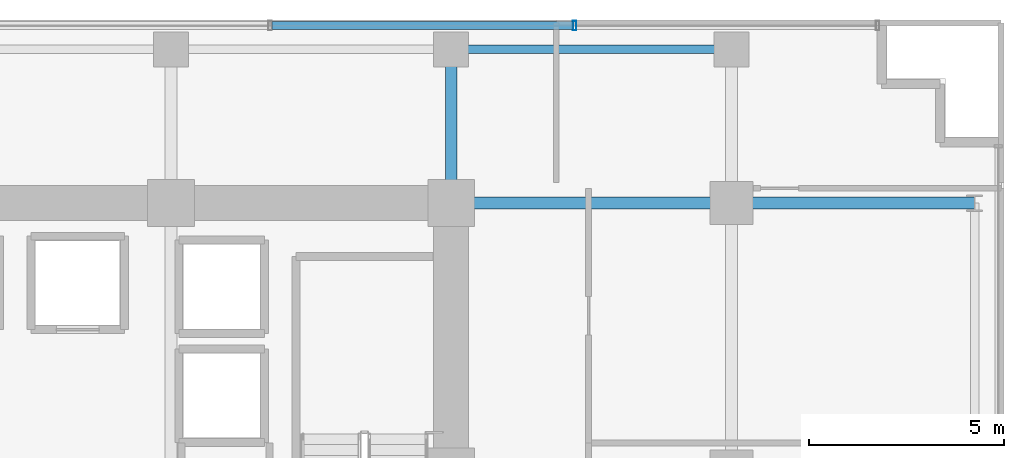
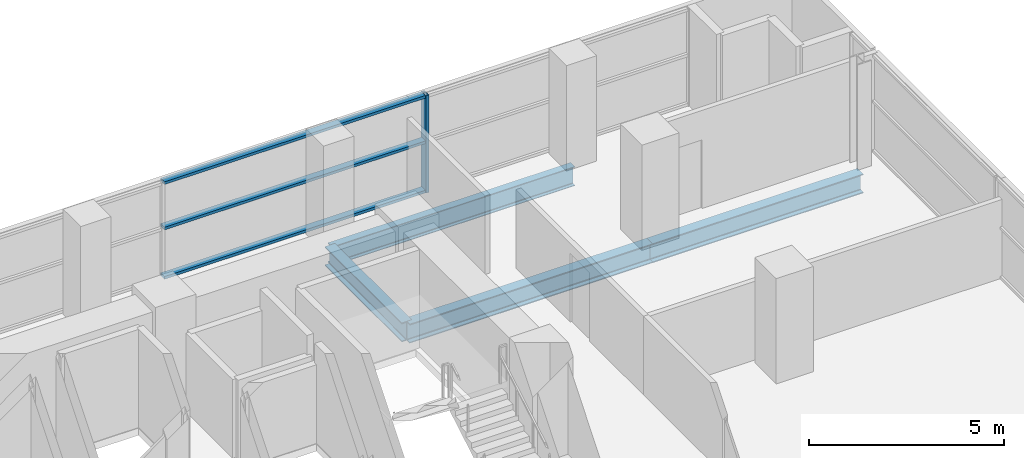
# One storey, part 20 of 30: 4 beams, 4 members, 1 element without a shape of its own.
"""IFC4 building model written with IfcOpenShell, lengths in metres."""

from ifc_helpers import new_model, si_unit, direction, frame, origin, origin_2d, place, context, subcontext, project, spatial, hollow_rectangle, i_section, extrude, source, transform, mapped, material, layer, layer_set, material_profile, profile_set, type_object, element, aggregate, save


model = new_model("IFC4")

# Units and contexts
model_context = context("Model", 3, precision=1e-05, world=origin(), true_north=direction((0.0, 1.0)))
body_context = subcontext(model_context, "Body", "Model", "MODEL_VIEW")
ifc_project = project(units=[si_unit("LENGTHUNIT", "METRE"), si_unit("AREAUNIT", "SQUARE_METRE"), si_unit("VOLUMEUNIT", "CUBIC_METRE"), si_unit("PLANEANGLEUNIT", "RADIAN"), si_unit("MASSUNIT", "GRAM", prefix="KILO")], contexts=[model_context])

# Site, building, storey
site_placement = place(None, origin())
site = spatial("IfcSite", under=ifc_project, at=site_placement, CompositionType="ELEMENT")
building_placement = place(site_placement, origin())
building = spatial("IfcBuilding", under=site, at=building_placement, Name="Zarnakvel Exchange Tower", CompositionType="ELEMENT")
storey_placement = place(building_placement, frame((0.0, 0.0, 40.60009765625)))
storey = spatial("IfcBuildingStorey", under=building, at=storey_placement, Name="L10", CompositionType="ELEMENT", Elevation=40.60009765625)

# Beams
ifc_material_1 = material(Name="Steel S355", Category="steel")
ifc_material_profile_1 = material_profile(ifc_material_1, i_section(OverallWidth=0.300048828125, OverallDepth=0.60009765625, WebThickness=0.015380859375, FlangeThickness=0.030029296875, FilletRadius=0.027099609375, at=origin_2d()))
ifc_profile_set_1 = profile_set([ifc_material_profile_1], Name="Steel S355")
beam_type_1 = type_object("IfcBeamType", Name="G-04", PredefinedType="BEAM", material=ifc_profile_set_1)
beam_1_placement = place(storey_placement, frame((14.39990234375, 13.5, -0.525146484375), z_axis=(1.0, 0.0, 0.0), x_axis=(0.0, 1.0, 0.0)))
element("IfcBeam", 1, at=beam_1_placement, inside=storey, type_object=beam_type_1, Name="L10 Tower E-W Frame Beam", PredefinedType="BEAM", context=body_context, shape_type="SweptSolid", body=[
    extrude(i_section(OverallWidth=0.300048828125, OverallDepth=0.60009765625, WebThickness=0.015380859375, FlangeThickness=0.030029296875, FilletRadius=0.027099609375, at=origin_2d()), origin(), (0.0, 0.0, 1.0), 7.2001953125),
])
beam_2_placement = place(storey_placement, frame((21.60009765625, 13.5, -0.525146484375), z_axis=(1.0, 0.0, 0.0), x_axis=(0.0, 1.0, 0.0)))
element("IfcBeam", 2, at=beam_2_placement, inside=storey, type_object=beam_type_1, Name="L10 Tower E-W Frame Beam", PredefinedType="BEAM", context=body_context, shape_type="SweptSolid", body=[
    extrude(i_section(OverallWidth=0.300048828125, OverallDepth=0.60009765625, WebThickness=0.015380859375, FlangeThickness=0.030029296875, FilletRadius=0.027099609375, at=origin_2d()), origin(), (0.0, 0.0, 1.0), 6.25),
])
beam_3_placement = place(storey_placement, frame((14.39990234375, 13.5, -0.525146484375), z_axis=(0.0, 1.0, 0.0), x_axis=(-1.0, 0.0, 0.0)))
element("IfcBeam", 3, at=beam_3_placement, inside=storey, type_object=beam_type_1, Name="L10 Tower N-S Frame Beam", PredefinedType="BEAM", context=body_context, shape_type="SweptSolid", body=[
    extrude(i_section(OverallWidth=0.300048828125, OverallDepth=0.60009765625, WebThickness=0.015380859375, FlangeThickness=0.030029296875, FilletRadius=0.027099609375, at=origin_2d()), origin(), (0.0, 0.0, 1.0), 3.949951171875),
])
ifc_material_profile_2 = material_profile(ifc_material_1, i_section(OverallWidth=0.219970703125, OverallDepth=0.60009765625, WebThickness=0.011962890625, FlangeThickness=0.01904296875, FilletRadius=0.02392578125, at=origin_2d()))
ifc_profile_set_2 = profile_set([ifc_material_profile_2], Name="Steel S355")
beam_type_2 = type_object("IfcBeamType", Name="SP-01", PredefinedType="SPANDREL", material=ifc_profile_set_2)
beam_4_placement = place(storey_placement, frame((14.39990234375, 17.449951171875, -0.525146484375), z_axis=(1.0, 0.0, 0.0), x_axis=(0.0, 1.0, 0.0)))
element("IfcBeam", 4, at=beam_4_placement, inside=storey, type_object=beam_type_2, Name="L10 Tower E-W Frame Beam", PredefinedType="SPANDREL", context=body_context, shape_type="SweptSolid", body=[
    extrude(i_section(OverallWidth=0.219970703125, OverallDepth=0.60009765625, WebThickness=0.011962890625, FlangeThickness=0.01904296875, FilletRadius=0.02392578125, at=origin_2d()), origin(), (0.0, 0.0, 1.0), 7.2001953125),
])

# Curtain wall, members
ifc_material_2 = material(Name="Architectural Bronze Anodised Aluminium", Category="aluminium")
ifc_layer = layer(ifc_material_2, 0.239990234375)
ifc_layer_set = layer_set([ifc_layer], Name="Architectural Bronze Anodised Aluminium")
curtain_wall_type = type_object("IfcCurtainWallType", Name="CW-02", PredefinedType="NOTDEFINED", material=ifc_layer_set)
curtain_wall_placement = place(storey_placement, origin())
curtain_wall = element("IfcCurtainWall", 5, at=curtain_wall_placement, inside=storey, type_object=curtain_wall_type, Name="L10 Curtain Wall CW-L10-N1 (CW-02)", PredefinedType="NOTDEFINED")
ifc_material_profile_3 = material_profile(ifc_material_2, hollow_rectangle(XDim=0.199951171875, YDim=0.0849609375, WallThickness=0.0048828125, at=origin_2d()))
ifc_profile_set_3 = profile_set([ifc_material_profile_3], Name="Architectural Bronze Anodised Aluminium")
member_type_1 = type_object("IfcMemberType", Name="CWT-02", PredefinedType="USERDEFINED", material=ifc_profile_set_3)
shared_shape_1 = source(origin(), body_context, "Body", "SweptSolid", [
    extrude(hollow_rectangle(XDim=0.199951171875, YDim=0.0849609375, WallThickness=0.0048828125, at=origin_2d()), origin(), (0.0, 0.0, 1.0), 7.738525390625),
])
member_1_placement = place(storey_placement, frame((9.787841796875, 18.06005859375, 0.04248046875), z_axis=(1.0, 0.0, 0.0), x_axis=(0.0, 1.0, 0.0)))
member_1 = element("IfcMember", 6, at=member_1_placement, type_object=member_type_1, Name="CW-02 transom 6.1", ObjectType="TRANSOM", PredefinedType="USERDEFINED", context=body_context, shape_type="MappedRepresentation", body=[
    mapped(shared_shape_1, transform((0.0, 0.0, 0.0), x_axis=(1.0, 0.0, 0.0), y_axis=(0.0, 1.0, 0.0), z_axis=(0.0, 0.0, 1.0), scale=1.0)),
])
member_2_placement = place(storey_placement, frame((9.787841796875, 18.06005859375, 1.588623046875), z_axis=(1.0, 0.0, 0.0), x_axis=(0.0, 1.0, 0.0)))
member_2 = element("IfcMember", 7, at=member_2_placement, type_object=member_type_1, Name="CW-02 transom 6.2", ObjectType="TRANSOM", PredefinedType="USERDEFINED", context=body_context, shape_type="MappedRepresentation", body=[
    mapped(shared_shape_1, transform((0.0, 0.0, 0.0), x_axis=(1.0, 0.0, 0.0), y_axis=(0.0, 1.0, 0.0), z_axis=(0.0, 0.0, 1.0), scale=1.0)),
])
member_3_placement = place(storey_placement, frame((9.787841796875, 18.06005859375, 3.012451171875), z_axis=(1.0, 0.0, 0.0), x_axis=(0.0, 1.0, 0.0)))
member_3 = element("IfcMember", 8, at=member_3_placement, type_object=member_type_1, Name="CW-02 transom 6.3", ObjectType="TRANSOM", PredefinedType="USERDEFINED", context=body_context, shape_type="MappedRepresentation", body=[
    mapped(shared_shape_1, transform((0.0, 0.0, 0.0), x_axis=(1.0, 0.0, 0.0), y_axis=(0.0, 1.0, 0.0), z_axis=(0.0, 0.0, 1.0), scale=1.0)),
])
ifc_material_profile_4 = material_profile(ifc_material_2, hollow_rectangle(XDim=0.239990234375, YDim=0.090087890625, WallThickness=0.006103515625, at=origin_2d()))
ifc_profile_set_4 = profile_set([ifc_material_profile_4], Name="Architectural Bronze Anodised Aluminium")
member_type_2 = type_object("IfcMemberType", Name="CWM-02", PredefinedType="MULLION", material=ifc_profile_set_4)
shared_shape_2 = source(origin(), body_context, "Body", "SweptSolid", [
    extrude(hollow_rectangle(XDim=0.239990234375, YDim=0.090087890625, WallThickness=0.006103515625, at=origin_2d()), origin(), (0.0, 0.0, 1.0), 3.054931640625),
])
member_4_placement = place(storey_placement, frame((17.571533203125, 18.06005859375, 0.0), z_axis=(0.0, 0.0, 1.0), x_axis=(0.0, 1.0, 0.0)))
member_4 = element("IfcMember", 9, at=member_4_placement, type_object=member_type_2, Name="CW-02 mullion 7", PredefinedType="MULLION", context=body_context, shape_type="MappedRepresentation", body=[
    mapped(shared_shape_2, transform((0.0, 0.0, 0.0), x_axis=(1.0, 0.0, 0.0), y_axis=(0.0, 1.0, 0.0), z_axis=(0.0, 0.0, 1.0), scale=1.0)),
])
aggregate(curtain_wall, [member_4, member_1, member_2, member_3])

save(model, "model.ifc")
